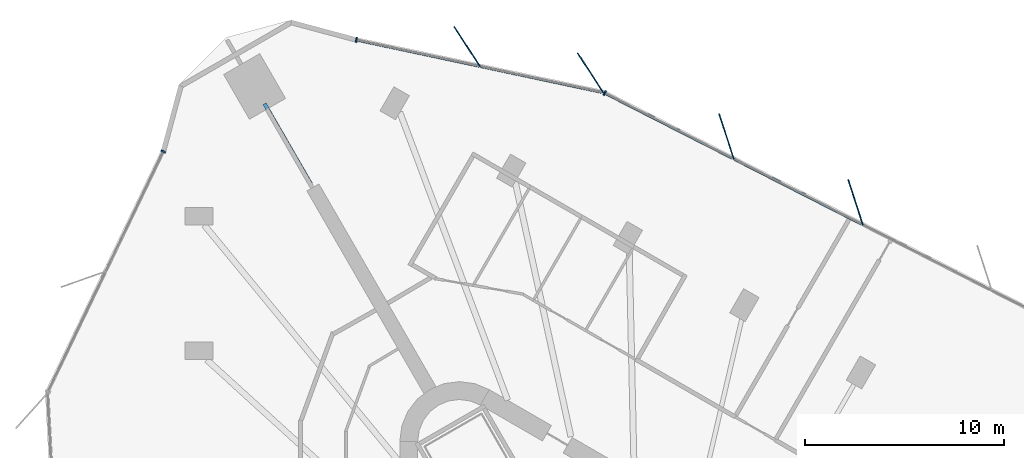
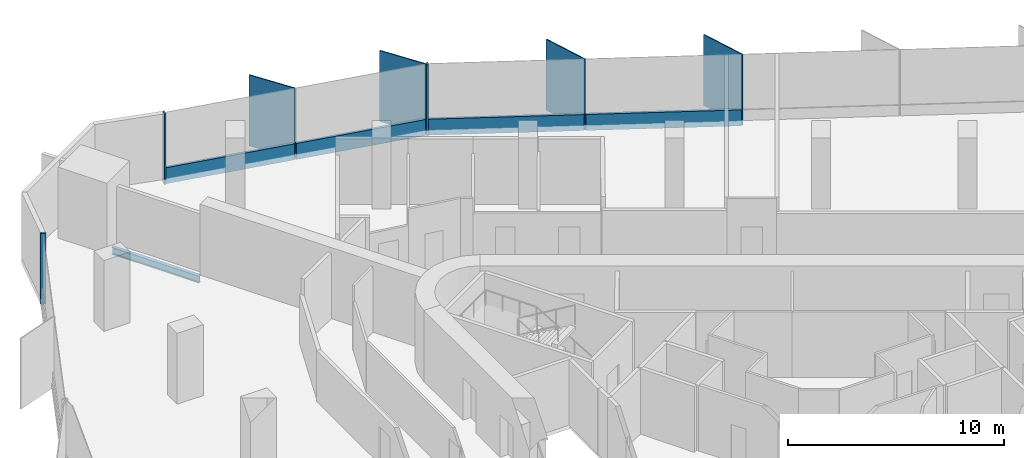
# One storey, part 6 of 14: 11 members, 1 beam, 3 elements without a shape of their own.
"""IFC4 building model written with IfcOpenShell, lengths in metres."""

from ifc_helpers import new_model, si_unit, direction, frame, origin, origin_2d, place, context, subcontext, project, spatial, rectangle, i_section, extrude, material, material_profile, profile_set, type_object, element, aggregate, save


model = new_model("IFC4")

# Units and contexts
model_context = context("Model", 3, precision=1e-05, world=origin(), true_north=direction((0.0, 1.0)))
body_context = subcontext(model_context, "Body", "Model", "MODEL_VIEW")
ifc_project = project(units=[si_unit("LENGTHUNIT", "METRE"), si_unit("AREAUNIT", "SQUARE_METRE"), si_unit("VOLUMEUNIT", "CUBIC_METRE"), si_unit("PLANEANGLEUNIT", "RADIAN"), si_unit("MASSUNIT", "GRAM", prefix="KILO")], contexts=[model_context])

# Site, building, storey
site_placement = place(None, origin())
site = spatial("IfcSite", under=ifc_project, at=site_placement, CompositionType="ELEMENT")
building_placement = place(site_placement, origin())
building = spatial("IfcBuilding", under=site, at=building_placement, Name="Tanit Gate Tower", CompositionType="ELEMENT")
storey_placement = place(building_placement, frame((0.0, 0.0, 205.199951171875)))
storey = spatial("IfcBuildingStorey", under=building, at=storey_placement, Name="L45", CompositionType="ELEMENT", Elevation=205.199951171875)

# Curtain wall, members
ifc_material_1 = material(Name="Aluminium bronze anodised and glass", Category="aluminium")
curtain_wall_type = type_object("IfcCurtainWallType", Name="Curtain wall typical mid", PredefinedType="NOTDEFINED", material=ifc_material_1)
curtain_wall_1_placement = place(storey_placement, origin())
curtain_wall_1 = element("IfcCurtainWall", 1, at=curtain_wall_1_placement, inside=storey, type_object=curtain_wall_type, Name="Curtain wall L45 NE2", PredefinedType="NOTDEFINED")
ifc_material_2 = material(Name="Aluminium bronze anodised", Category="aluminium")
ifc_material_profile_1 = material_profile(ifc_material_2, rectangle(XDim=2.39990234375, YDim=0.055908203125, at=origin_2d()), Name="56x2400 bronze fin mullion")
ifc_profile_set_1 = profile_set([ifc_material_profile_1], Name="Aluminium bronze anodised")
member_type_1 = type_object("IfcMemberType", Name="FIN MULLION 56x2400 bronze", PredefinedType="MULLION", material=ifc_profile_set_1)
member_1_placement = place(storey_placement, frame((10.826171875, 27.78125, -0.300048828125), z_axis=(0.0, 0.0, 1.0), x_axis=(0.308699841109, -0.95115950718, 0.0)))
member_1 = element("IfcMember", 2, at=member_1_placement, type_object=member_type_1, Name="Fin mullion L45 NE2.4", PredefinedType="MULLION", context=body_context, shape_type="SweptSolid", body=[
    extrude(rectangle(XDim=2.39990234375, YDim=0.055908203125, at=origin_2d()), origin(), (0.0, 0.0, 1.0), 4.0),
])
member_2_placement = place(storey_placement, frame((4.33544921875, 31.091064453125, -0.300048828125), z_axis=(0.0, 0.0, 1.0), x_axis=(0.308699841109, -0.95115950718, 0.0)))
member_2 = element("IfcMember", 3, at=member_2_placement, type_object=member_type_1, Name="Fin mullion L45 NE2.5", PredefinedType="MULLION", context=body_context, shape_type="SweptSolid", body=[
    extrude(rectangle(XDim=2.39990234375, YDim=0.055908203125, at=origin_2d()), origin(), (0.0, 0.0, 1.0), 4.0),
])

curtain_wall_2_placement = place(storey_placement, origin())
curtain_wall_2 = element("IfcCurtainWall", 4, at=curtain_wall_2_placement, inside=storey, type_object=curtain_wall_type, Name="Curtain wall L45 NE3", PredefinedType="NOTDEFINED")
member_3_placement = place(storey_placement, frame((-2.50732421875, 34.295166015625, -0.300048828125), z_axis=(0.0, 0.0, 1.0), x_axis=(0.544111668677, -0.839012808013, 0.0)))
member_3 = element("IfcMember", 5, at=member_3_placement, type_object=member_type_1, Name="Fin mullion L45 NE3.1", PredefinedType="MULLION", context=body_context, shape_type="SweptSolid", body=[
    extrude(rectangle(XDim=2.39990234375, YDim=0.055908203125, at=origin_2d()), origin(), (0.0, 0.0, 1.0), 4.0),
])
member_4_placement = place(storey_placement, frame((-8.7177734375, 35.619384765625, -0.300048828125), z_axis=(0.0, 0.0, 1.0), x_axis=(0.544111668677, -0.839012808013, 0.0)))
member_4 = element("IfcMember", 6, at=member_4_placement, type_object=member_type_1, Name="Fin mullion L45 NE3.2", PredefinedType="MULLION", context=body_context, shape_type="SweptSolid", body=[
    extrude(rectangle(XDim=2.39990234375, YDim=0.055908203125, at=origin_2d()), origin(), (0.0, 0.0, 1.0), 4.0),
])

# Member
ifc_material_3 = material(Name="Aluminium bronze anodised", Category="aluminium")
ifc_material_profile_2 = material_profile(ifc_material_3, rectangle(XDim=0.260009765625, YDim=0.080078125, at=origin_2d()), Name="80x260 bronze mullion")
ifc_profile_set_2 = profile_set([ifc_material_profile_2], Name="Aluminium bronze anodised")
member_type_2 = type_object("IfcMemberType", Name="Mullion 80x260 typical mid", PredefinedType="MULLION", material=ifc_profile_set_2)
member_5_placement = place(storey_placement, frame((-1.791259765625, 33.27978515625, -0.300048828125), z_axis=(0.0, 0.0, 1.0), x_axis=(-0.454287586518, -0.890855088516, 0.0)))
member_5 = element("IfcMember", 7, at=member_5_placement, type_object=member_type_2, Name="Mullion L45 NE2.6", PredefinedType="MULLION", context=body_context, shape_type="SweptSolid", body=[
    extrude(rectangle(XDim=0.260009765625, YDim=0.080078125, at=origin_2d()), origin(), (0.0, 0.0, 1.0), 4.0),
])

member_6_placement = place(storey_placement, frame((-14.28662109375, 35.954345703125, -0.300048828125), z_axis=(0.0, 0.0, 1.0), x_axis=(-0.208526595404, -0.978016696692, 0.0)))
member_6 = element("IfcMember", 8, at=member_6_placement, type_object=member_type_2, Name="Mullion L45 NE3.3", PredefinedType="MULLION", context=body_context, shape_type="SweptSolid", body=[
    extrude(rectangle(XDim=0.260009765625, YDim=0.080078125, at=origin_2d()), origin(), (0.0, 0.0, 1.0), 4.0),
])

# Curtain wall, member
curtain_wall_3_placement = place(storey_placement, origin())
curtain_wall_3 = element("IfcCurtainWall", 9, at=curtain_wall_3_placement, inside=storey, type_object=curtain_wall_type, Name="Curtain wall L45 W1", PredefinedType="NOTDEFINED")
member_7_placement = place(storey_placement, frame((-24.001220703125, 30.343994140625, -0.300048828125), z_axis=(0.0, 0.0, 1.0), x_axis=(0.90136651236, -0.433057052125, 0.0)))
member_7 = element("IfcMember", 10, at=member_7_placement, type_object=member_type_2, Name="Mullion L45 W1.1", PredefinedType="MULLION", context=body_context, shape_type="SweptSolid", body=[
    extrude(rectangle(XDim=0.260009765625, YDim=0.080078125, at=origin_2d()), origin(), (0.0, 0.0, 1.0), 4.0),
])
aggregate(curtain_wall_3, [member_7])

# Beam
ifc_material_4 = material(Name="Steel S355", Category="steel")
ifc_material_profile_3 = material_profile(ifc_material_4, i_section(OverallWidth=0.179931640625, OverallDepth=0.39990234375, WebThickness=0.008544921875, FlangeThickness=0.013427734375, FilletRadius=0.02099609375, at=origin_2d()), Name="IPE 400")
ifc_profile_set_3 = profile_set([ifc_material_profile_3], Name="Steel S355")
beam_type = type_object("IfcBeamType", Name="RADIAL GIRDER IPE 400 S355", PredefinedType="BEAM", material=ifc_profile_set_3)
beam_placement = place(storey_placement, frame((-18.9033203125, 32.74169921875, -0.5), z_axis=(0.499984536904, -0.866034331223, 0.0), x_axis=(0.866034331223, 0.499984536904, 0.0)))
element("IfcBeam", 11, at=beam_placement, inside=storey, type_object=beam_type, Name="RADIAL GIRDER", PredefinedType="BEAM", context=body_context, shape_type="SweptSolid", body=[
    extrude(i_section(OverallWidth=0.179931640625, OverallDepth=0.39990234375, WebThickness=0.008544921875, FlangeThickness=0.013427734375, FilletRadius=0.02099609375, at=origin_2d()), origin(), (0.0, 0.0, 1.0), 4.650146484375),
])

# Member
ifc_material_5 = material(Name="Aluminium bronze anodised", Category="aluminium")
ifc_material_profile_4 = material_profile(ifc_material_5, rectangle(XDim=0.139892578125, YDim=0.89990234375, at=origin_2d()), Name="140x900 bronze transom")
ifc_profile_set_4 = profile_set([ifc_material_profile_4], Name="Aluminium bronze anodised")
member_type_3 = type_object("IfcMemberType", Name="Transom 140x900 typical mid", PredefinedType="USERDEFINED", material=ifc_profile_set_4)
member_8_placement = place(storey_placement, frame((11.154296875, 26.67822265625, 0.150146484375), z_axis=(-0.890862057328, 0.454273920463, 0.0), x_axis=(-0.454273920463, -0.890862057328, 0.0)))
member_8 = element("IfcMember", 12, at=member_8_placement, type_object=member_type_3, Name="Transom L45 NE2.4", ObjectType="TRANSOM", PredefinedType="USERDEFINED", context=body_context, shape_type="SweptSolid", body=[
    extrude(rectangle(XDim=0.139892578125, YDim=0.89990234375, at=origin_2d()), origin(), (0.0, 0.0, 1.0), 7.205810546875),
])

member_9_placement = place(storey_placement, frame((4.663818359375, 29.988037109375, 0.150146484375), z_axis=(-0.890862057328, 0.454273920463, 0.0), x_axis=(-0.454273920463, -0.890862057328, 0.0)))
member_9 = element("IfcMember", 13, at=member_9_placement, type_object=member_type_3, Name="Transom L45 NE2.5", ObjectType="TRANSOM", PredefinedType="USERDEFINED", context=body_context, shape_type="SweptSolid", body=[
    extrude(rectangle(XDim=0.139892578125, YDim=0.89990234375, at=origin_2d()), origin(), (0.0, 0.0, 1.0), 7.205810546875),
])

aggregate(curtain_wall_1, [member_1, member_2, member_5, member_8, member_9])

member_10_placement = place(storey_placement, frame((-1.9052734375, 33.314453125, 0.150146484375), z_axis=(-0.978009360048, 0.208561002246, 0.0), x_axis=(-0.208561002246, -0.978009360048, 0.0)))
member_10 = element("IfcMember", 14, at=member_10_placement, type_object=member_type_3, Name="Transom L45 NE3.1", ObjectType="TRANSOM", PredefinedType="USERDEFINED", context=body_context, shape_type="SweptSolid", body=[
    extrude(rectangle(XDim=0.139892578125, YDim=0.89990234375, at=origin_2d()), origin(), (0.0, 0.0, 1.0), 6.269775390625),
])

member_11_placement = place(storey_placement, frame((-8.115478515625, 34.638671875, 0.150146484375), z_axis=(-0.978018995211, 0.208515814761, 0.0), x_axis=(-0.208515814761, -0.978018995211, 0.0)))
member_11 = element("IfcMember", 15, at=member_11_placement, type_object=member_type_3, Name="Transom L45 NE3.2", ObjectType="TRANSOM", PredefinedType="USERDEFINED", context=body_context, shape_type="SweptSolid", body=[
    extrude(rectangle(XDim=0.139892578125, YDim=0.89990234375, at=origin_2d()), origin(), (0.0, 0.0, 1.0), 6.27001953125),
])

aggregate(curtain_wall_2, [member_3, member_4, member_6, member_10, member_11])

save(model, "model.ifc")
